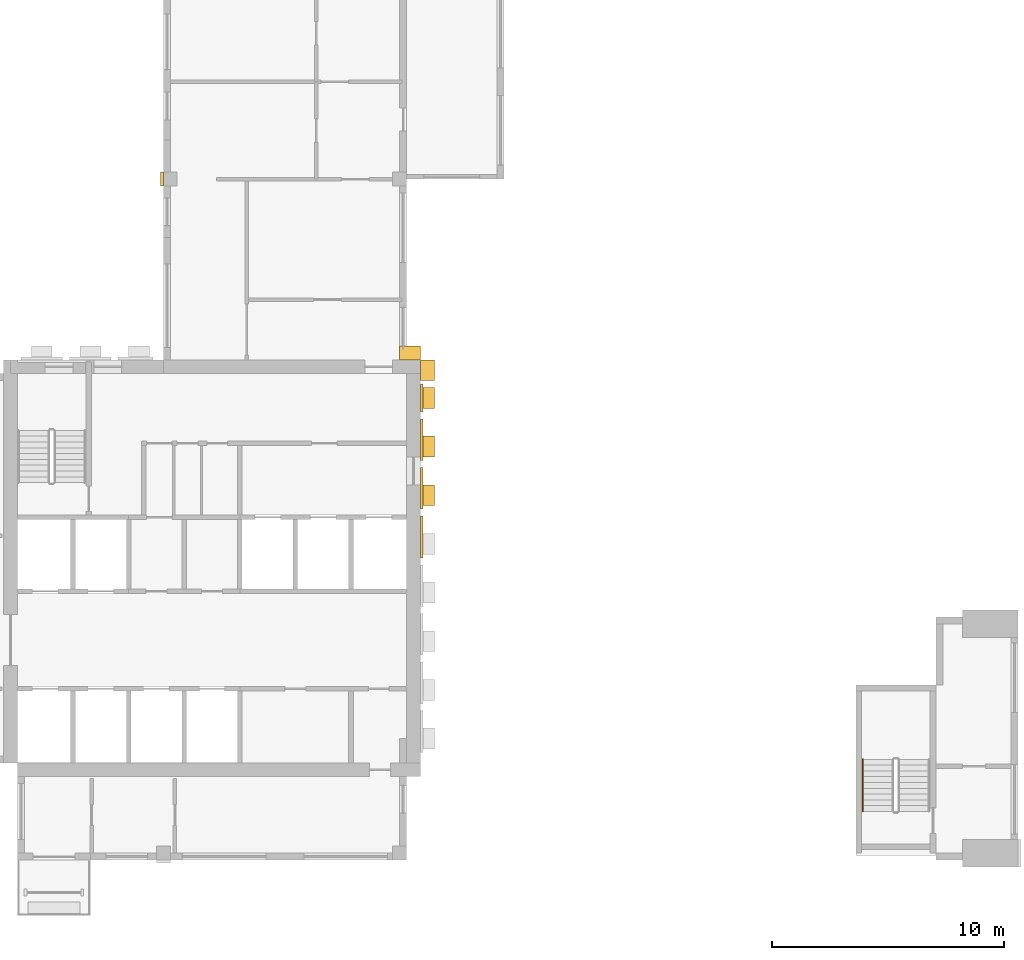
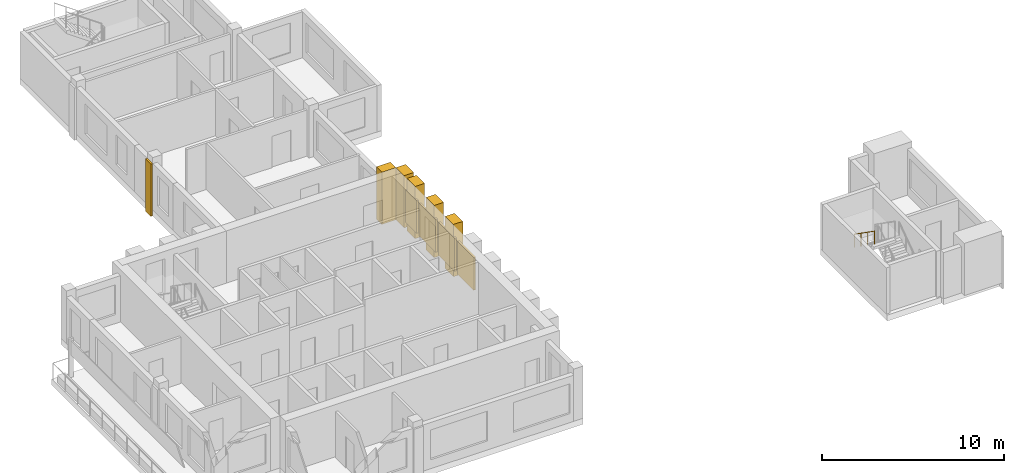
# One storey, part 7 of 9: 10 coverings, 1 railing.
"""IFC4 building model written with IfcOpenShell, lengths in metres."""

import ifcopenshell
import ifcopenshell.guid

model = None  # the IFC model being written
_history = None  # IfcOwnerHistory: only IFC2X3 demands one
_inside = {}  # id of a spatial element -> (the spatial element, [elements in it])
_under = {}  # id of a project, library or spatial element -> (it, [spatial elements below it])
_declared = {}  # id of a project -> (the project, [libraries it declares])
_typed = {}  # id of a type object -> (the type object, [elements of that type])
_made_of = {}  # id of a material, layer set ... -> (it, [elements and type objects made of it])


def new_model(schema):
    """Start an empty IFC model of exactly this schema.

    Asked for "IFC4X3", IfcOpenShell would pick the latest addendum, in which some entities
    have other attributes; the version numbers below select the first issue.
    IFC2X3 requires an IfcOwnerHistory on every rooted entity: one is made here for all.
    """
    global model, _history
    if schema == "IFC4X3":
        model = ifcopenshell.file(schema_version=(4, 3, 0, 0))
    else:
        model = ifcopenshell.file(schema=schema)
    _inside.clear()
    _under.clear()
    _declared.clear()
    _typed.clear()
    _made_of.clear()
    _history = None
    if model.schema == "IFC2X3":
        org = make("IfcOrganization", Name="unknown")
        user = make(
            "IfcPersonAndOrganization",
            ThePerson=make("IfcPerson", FamilyName="unknown"),
            TheOrganization=org,
        )
        app = make(
            "IfcApplication",
            ApplicationDeveloper=org,
            Version="unknown",
            ApplicationFullName="unknown",
            ApplicationIdentifier="unknown",
        )
        _history = make(
            "IfcOwnerHistory",
            OwningUser=user,
            OwningApplication=app,
            ChangeAction="ADDED",
            CreationDate=0,
        )
    return model


def make(cls, **values):
    """One entity of the class cls with the attributes given. An attribute that is None is left unset."""
    return model.create_entity(
        cls, **{name: value for name, value in values.items() if value is not None}
    )


def rooted(cls, **values):
    """An entity with a GlobalId (a new one), such as an element, a storey or a relation."""
    return make(cls, GlobalId=ifcopenshell.guid.new(), OwnerHistory=_history, **values)


def si_unit(unit_type, name, prefix=None):
    """IfcSIUnit, for example si_unit("LENGTHUNIT", "METRE", prefix="MILLI")."""
    return make("IfcSIUnit", UnitType=unit_type, Prefix=prefix, Name=name)


def assignment(units):
    """IfcUnitAssignment: the units of a project."""
    return None if units is None else make("IfcUnitAssignment", Units=units)


def point(xyz):
    """IfcCartesianPoint."""
    return None if xyz is None else make("IfcCartesianPoint", Coordinates=xyz)


def direction(xyz):
    """IfcDirection."""
    return None if xyz is None else make("IfcDirection", DirectionRatios=xyz)


def frame(location, z_axis=None, x_axis=None):
    """IfcAxis2Placement3D, a coordinate frame: its origin and axes. An axis left out is left unset."""
    return make(
        "IfcAxis2Placement3D",
        Location=point(location),
        Axis=direction(z_axis),
        RefDirection=direction(x_axis),
    )


def frame_2d(location, x_axis=None):
    """IfcAxis2Placement2D, a coordinate frame in the plane: its origin and x axis."""
    return make(
        "IfcAxis2Placement2D", Location=point(location), RefDirection=direction(x_axis)
    )


def origin():
    """The frame at (0, 0, 0) with its axes left unset."""
    return frame((0.0, 0.0, 0.0))


def origin_2d():
    """The frame at (0, 0) in the plane with its x axis left unset."""
    return frame_2d((0.0, 0.0))


def place(relative_to, where):
    """IfcLocalPlacement: puts the frame where relative to a parent placement (None: the world)."""
    return make(
        "IfcLocalPlacement", PlacementRelTo=relative_to, RelativePlacement=where
    )


def context(
    kind, dimensions, precision=None, world=None, true_north=None, identifier=None
):
    """IfcGeometricRepresentationContext, for example the 3D "Model" context."""
    return make(
        "IfcGeometricRepresentationContext",
        ContextIdentifier=identifier,
        ContextType=kind,
        CoordinateSpaceDimension=dimensions,
        Precision=precision,
        WorldCoordinateSystem=world,
        TrueNorth=true_north,
    )


def subcontext(parent, identifier, kind, view, scale=None):
    """IfcGeometricRepresentationSubContext, for example "Body" below "Model"."""
    return make(
        "IfcGeometricRepresentationSubContext",
        ContextIdentifier=identifier,
        ContextType=kind,
        ParentContext=parent,
        TargetScale=scale,
        TargetView=view,
    )


def project(units=None, contexts=None):
    """IfcProject with its units and contexts."""
    return rooted(
        "IfcProject",
        Name="project",
        RepresentationContexts=contexts,
        UnitsInContext=assignment(units),
    )


def spatial(cls, under=None, at=None, **own):
    """A site, building, storey or space (cls), placed at a placement, below another one or the project."""
    s = rooted(cls, ObjectPlacement=at, **own)
    if under is not None:
        _under.setdefault(under.id(), (under, []))[1].append(s)
    return s


def profile(cls, at=None, kind="AREA", **sizes):
    """A parametric profile (cls). Its sizes go by their IFC names, for example OverallWidth=200.0."""
    return make(cls, ProfileType=kind, Position=at, **sizes)


def rectangle(**sizes):
    """IfcRectangleProfileDef."""
    return profile("IfcRectangleProfileDef", **sizes)


def circle(**sizes):
    """IfcCircleProfileDef."""
    return profile("IfcCircleProfileDef", **sizes)


def extrude(swept, where, along, depth):
    """IfcExtrudedAreaSolid: the profile swept, set in the frame where, extruded along a direction by depth."""
    return make(
        "IfcExtrudedAreaSolid",
        SweptArea=swept,
        Position=where,
        ExtrudedDirection=direction(along),
        Depth=depth,
    )


def shape(context_of_items, identifier, shape_type, items):
    """IfcShapeRepresentation: the items that make up one representation, for example the "Body"."""
    return make(
        "IfcShapeRepresentation",
        ContextOfItems=context_of_items,
        RepresentationIdentifier=identifier,
        RepresentationType=shape_type,
        Items=items,
    )


def source(mapping_origin, context_of_items, identifier, shape_type, items):
    """IfcRepresentationMap: a shape defined once, which mapped items show again and again."""
    return make(
        "IfcRepresentationMap",
        MappingOrigin=mapping_origin,
        MappedRepresentation=shape(context_of_items, identifier, shape_type, items),
    )


def transform(
    local_origin,
    x_axis=None,
    y_axis=None,
    z_axis=None,
    scale=None,
    scale2=None,
    scale3=None,
    uniform=True,
):
    """IfcCartesianTransformationOperator3D, or its non-uniform kind. x_axis, y_axis, z_axis: its Axis1, 2, 3."""
    if uniform:
        return make(
            "IfcCartesianTransformationOperator3D",
            Axis1=direction(x_axis),
            Axis2=direction(y_axis),
            LocalOrigin=point(local_origin),
            Scale=scale,
            Axis3=direction(z_axis),
        )
    return make(
        "IfcCartesianTransformationOperator3DnonUniform",
        Axis1=direction(x_axis),
        Axis2=direction(y_axis),
        LocalOrigin=point(local_origin),
        Scale=scale,
        Axis3=direction(z_axis),
        Scale2=scale2,
        Scale3=scale3,
    )


def mapped(mapping_source, mapping_target):
    """IfcMappedItem: shows the shape of a source again, moved by a transform."""
    return make(
        "IfcMappedItem", MappingSource=mapping_source, MappingTarget=mapping_target
    )


def material(Name=None, Category=None):
    """IfcMaterial."""
    return make("IfcMaterial", Name=Name, Category=Category)


def made_of(thing, what):
    """Note that an element or type object is made of a material, layer set ...; save() writes the relation."""
    if what is not None:
        _made_of.setdefault(what.id(), (what, []))[1].append(thing)
    return thing


def type_object(cls, material=None, **own):
    """A type object (cls), such as IfcWallType, which elements share."""
    return made_of(rooted(cls, **own), material)


def element(
    cls,
    number,
    at=None,
    inside=None,
    cuts=None,
    type_object=None,
    material=None,
    context=None,
    identifier="Body",
    shape_type=None,
    held_by="IfcProductDefinitionShape",
    body=None,
    shapes=None,
    **own,
):
    """One element of the class cls, such as IfcWall. Its Tag is "e" and its number.

    at: its placement. inside: the storey or other place that contains it. cuts: it is an
    opening in that element (IfcRelVoidsElement). A single representation is given by context,
    identifier, shape_type and body (its items); several are given by shapes. held_by: the class
    of the entity that holds the representations. save() writes the other relations.
    """
    e = rooted(cls, Tag="e%d" % number, ObjectPlacement=at, **own)
    if body is not None:
        shapes = [shape(context, identifier, shape_type, body)]
    if shapes is not None:
        e.Representation = make(held_by, Representations=shapes)
    if inside is not None:
        _inside.setdefault(inside.id(), (inside, []))[1].append(e)
    if cuts is not None:
        rooted(
            "IfcRelVoidsElement", RelatingBuildingElement=cuts, RelatedOpeningElement=e
        )
    if type_object is not None:
        _typed.setdefault(type_object.id(), (type_object, []))[1].append(e)
    return made_of(e, material)


def aggregate(whole, parts):
    """IfcRelAggregates: a whole, such as a stair, and the parts it consists of."""
    return rooted("IfcRelAggregates", RelatingObject=whole, RelatedObjects=parts)


def save(model, path):
    """Write the relations noted so far, then the file.

    IfcRelAggregates (storeys below a building ...), IfcRelContainedInSpatialStructure (elements
    in a storey), IfcRelDefinesByType, IfcRelAssociatesMaterial and IfcRelDeclares: one each for
    every whole, place, type object, material and project.
    """
    for whole, parts in _under.values():
        aggregate(whole, parts)
    for where, things in _inside.values():
        rooted(
            "IfcRelContainedInSpatialStructure",
            RelatedElements=things,
            RelatingStructure=where,
        )
    for kind, things in _typed.values():
        rooted("IfcRelDefinesByType", RelatedObjects=things, RelatingType=kind)
    for what, things in _made_of.values():
        rooted("IfcRelAssociatesMaterial", RelatedObjects=things, RelatingMaterial=what)
    for by, libraries in _declared.values():
        rooted("IfcRelDeclares", RelatingContext=by, RelatedDefinitions=libraries)
    model.write(path)


model = new_model("IFC4")

# Units and contexts
model_context = context("Model", 3, precision=1e-05, world=origin(), true_north=direction((0.0, 1.0)))
body_context = subcontext(model_context, "Body", "Model", "MODEL_VIEW")
ifc_project = project(units=[si_unit("LENGTHUNIT", "METRE"), si_unit("AREAUNIT", "SQUARE_METRE"), si_unit("VOLUMEUNIT", "CUBIC_METRE"), si_unit("PLANEANGLEUNIT", "RADIAN"), si_unit("MASSUNIT", "GRAM", prefix="KILO")], contexts=[model_context])

# Site, building, storey
site_placement = place(None, origin())
site = spatial("IfcSite", under=ifc_project, at=site_placement, CompositionType="ELEMENT")
building_placement = place(site_placement, origin())
building = spatial("IfcBuilding", under=site, at=building_placement, Name="Aurelian Terraces", CompositionType="ELEMENT")
storey_placement = place(building_placement, frame((0.0, 0.0, 340.5)))
storey = spatial("IfcBuildingStorey", under=building, at=storey_placement, Name="L80", CompositionType="ELEMENT", Elevation=340.5)

# Coverings
ifc_material_1 = material(Name="Terracotta rainscreen cladding louvre blades", Category="masonry")
covering_type_1 = type_object("IfcCoveringType", Name="LOUVRE-TC", PredefinedType="CLADDING", material=ifc_material_1)
shared_shape_1 = source(origin(), body_context, "Body", "SweptSolid", [
    extrude(rectangle(XDim=0.12, YDim=1.8, at=origin_2d()), origin(), (0.0, 0.0, 1.0), 2.2),
])
for number, where, z_axis, x_axis, name in (
    (1, (21.66, 13.95, 0.45), (0.0, 0.0, 1.0), (1.0, 0.0, 0.0), "LOUVRE L80 core face E.5"),
    (2, (21.66, 16.05, 0.45), (0.0, 0.0, 1.0), (1.0, 0.0, 0.0), "LOUVRE L80 core face E.6"),
    (3, (21.66, 18.15, 0.45), (0.0, 0.0, 1.0), (1.0, 0.0, 0.0), "LOUVRE L80 core face E.7"),
):
    element("IfcCovering", number, at=place(storey_placement, frame(where, z_axis=z_axis, x_axis=x_axis)), inside=storey, type_object=covering_type_1, Name=name, PredefinedType="CLADDING", context=body_context, shape_type="MappedRepresentation", body=[
        mapped(shared_shape_1, transform((0.0, 0.0, 0.0), scale=1.0)),
    ])
shared_shape_2 = source(origin(), body_context, "Body", "SweptSolid", [
    extrude(rectangle(XDim=0.12, YDim=1.2, at=origin_2d()), origin(), (0.0, 0.0, 1.0), 2.2),
])
covering_1_placement = place(storey_placement, frame((21.66, 19.95, 0.45), z_axis=(0.0, 0.0, 1.0), x_axis=(1.0, 0.0, 0.0)))
element("IfcCovering", 4, at=covering_1_placement, inside=storey, type_object=covering_type_1, Name="LOUVRE L80 core face E.8", PredefinedType="CLADDING", context=body_context, shape_type="MappedRepresentation", body=[
    mapped(shared_shape_2, transform((0.0, 0.0, 0.0), scale=1.0)),
])
ifc_material_2 = material(Name="Terracotta rainscreen cladding relief", Category="masonry")
covering_type_2 = type_object("IfcCoveringType", Name="BAGUETTE-TC", PredefinedType="CLADDING", material=ifc_material_2)
shared_shape_3 = source(origin(), body_context, "Body", "SweptSolid", [
    extrude(rectangle(XDim=0.12, YDim=0.6, at=origin_2d()), origin(), (0.0, 0.0, 1.0), 3.5),
])
covering_2_placement = place(storey_placement, frame((10.44, 29.4, -0.4), z_axis=(0.0, 0.0, 1.0), x_axis=(1.0, 0.0, 0.0)))
element("IfcCovering", 5, at=covering_2_placement, inside=storey, type_object=covering_type_2, Name="BAGUETTE pier L80 4", PredefinedType="CLADDING", context=body_context, shape_type="MappedRepresentation", body=[
    mapped(shared_shape_3, transform((0.0, 0.0, 0.0), scale=1.0)),
])

# Railing
ifc_material_3 = material(Name="Stainless steel", Category="steel")
railing_type = type_object("IfcRailingType", Name="Stair handrail", PredefinedType="HANDRAIL", material=ifc_material_3)
shared_shape_4 = source(origin(), body_context, "Body", "SweptSolid", [
    extrude(circle(Radius=0.024, at=origin_2d()), frame((0.0, 0.0, 0.876), z_axis=(0.0, -0.819231920519, 0.573462344363), x_axis=(1.0, 0.0, 0.0)), (0.0, 0.0, 1.0), 2.7465),
    extrude(circle(Radius=0.021, at=origin_2d()), origin(), (0.0, 0.0, 1.0), 0.852),
    extrude(circle(Radius=0.021, at=origin_2d()), frame((0.0, -0.75, 0.525)), (0.0, 0.0, 1.0), 0.852),
    extrude(circle(Radius=0.021, at=origin_2d()), frame((0.0, -1.5, 1.05)), (0.0, 0.0, 1.0), 0.852),
    extrude(circle(Radius=0.021, at=origin_2d()), frame((0.0, -2.25, 1.575)), (0.0, 0.0, 1.0), 0.852),
])
railing_placement = place(storey_placement, frame((40.7, 4.35, 1.925)))
element("IfcRailing", 6, at=railing_placement, inside=storey, type_object=railing_type, Name="L80 S2 stair handrail 2", PredefinedType="HANDRAIL", context=body_context, shape_type="MappedRepresentation", body=[
    mapped(shared_shape_4, transform((0.0, 0.0, 0.0), scale=1.0)),
])

# Coverings
covering_type_3 = type_object("IfcCoveringType", Name="Core spine pier 900x600", PredefinedType="CLADDING", material=ifc_material_2)
shared_shape_5 = source(origin(), body_context, "Body", "SweptSolid", [
    extrude(rectangle(XDim=0.6, YDim=0.9, at=origin_2d()), origin(), (0.0, 0.0, 1.0), 3.5),
])
for number, where, z_axis, x_axis, name in (
    (7, (21.9, 15.75, 0.0), (0.0, 0.0, 1.0), (1.0, 0.0, 0.0), "Spine pier L80 E6"),
    (8, (21.9, 17.85, 0.0), (0.0, 0.0, 1.0), (1.0, 0.0, 0.0), "Spine pier L80 E7"),
    (9, (21.9, 19.95, 0.0), (0.0, 0.0, 1.0), (1.0, 0.0, 0.0), "Spine pier L80 E8"),
    (10, (21.9, 21.15, 0.0), (0.0, 0.0, 1.0), (1.0, 0.0, 0.0), "Spine pier L80 corner east"),
):
    element("IfcCovering", number, at=place(storey_placement, frame(where, z_axis=z_axis, x_axis=x_axis)), inside=storey, type_object=covering_type_3, Name=name, PredefinedType="CLADDING", context=body_context, shape_type="MappedRepresentation", body=[
        mapped(shared_shape_5, transform((0.0, 0.0, 0.0), scale=1.0)),
    ])
shared_shape_6 = source(origin(), body_context, "Body", "SweptSolid", [
    extrude(rectangle(XDim=0.9, YDim=0.6, at=origin_2d()), origin(), (0.0, 0.0, 1.0), 3.5),
])
covering_3_placement = place(storey_placement, frame((21.15, 21.9, 0.0), z_axis=(0.0, 0.0, 1.0), x_axis=(1.0, 0.0, 0.0)))
element("IfcCovering", 11, at=covering_3_placement, inside=storey, type_object=covering_type_3, Name="Spine pier L80 corner north", PredefinedType="CLADDING", context=body_context, shape_type="MappedRepresentation", body=[
    mapped(shared_shape_6, transform((0.0, 0.0, 0.0), scale=1.0)),
])

save(model, "model.ifc")
